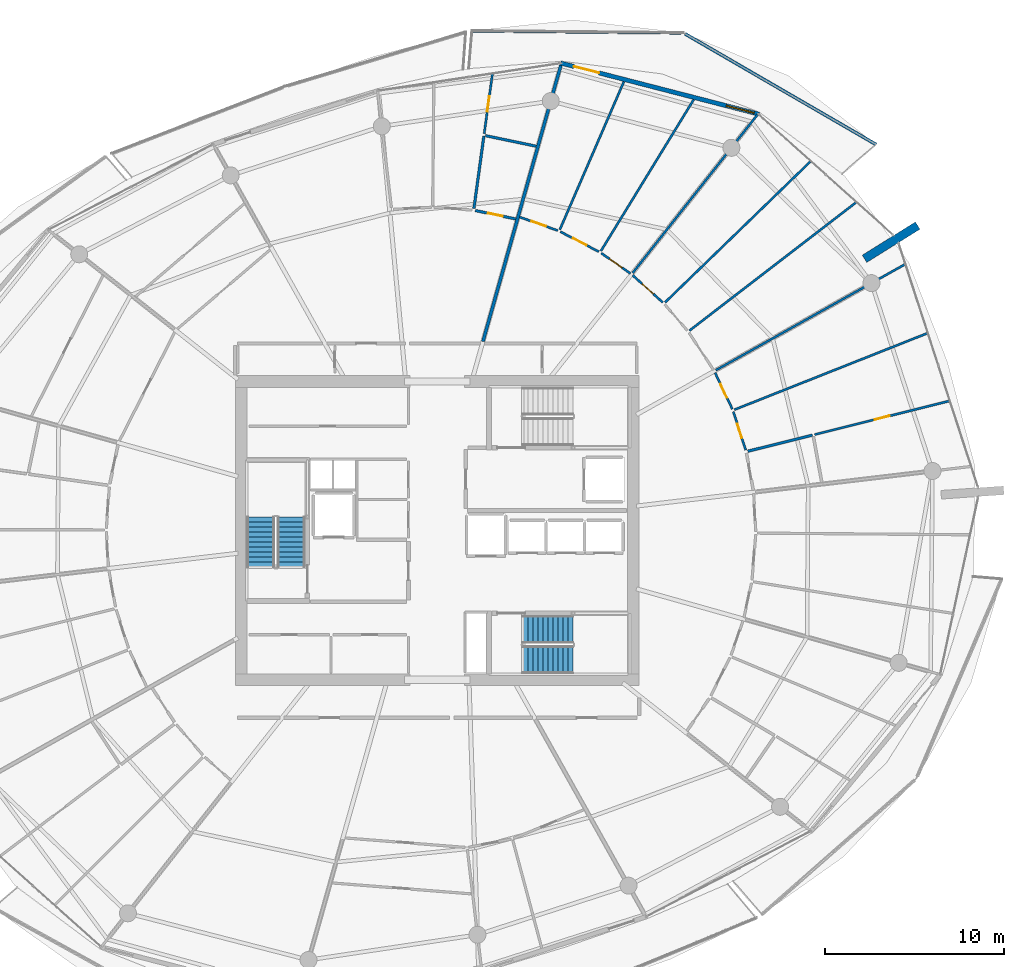
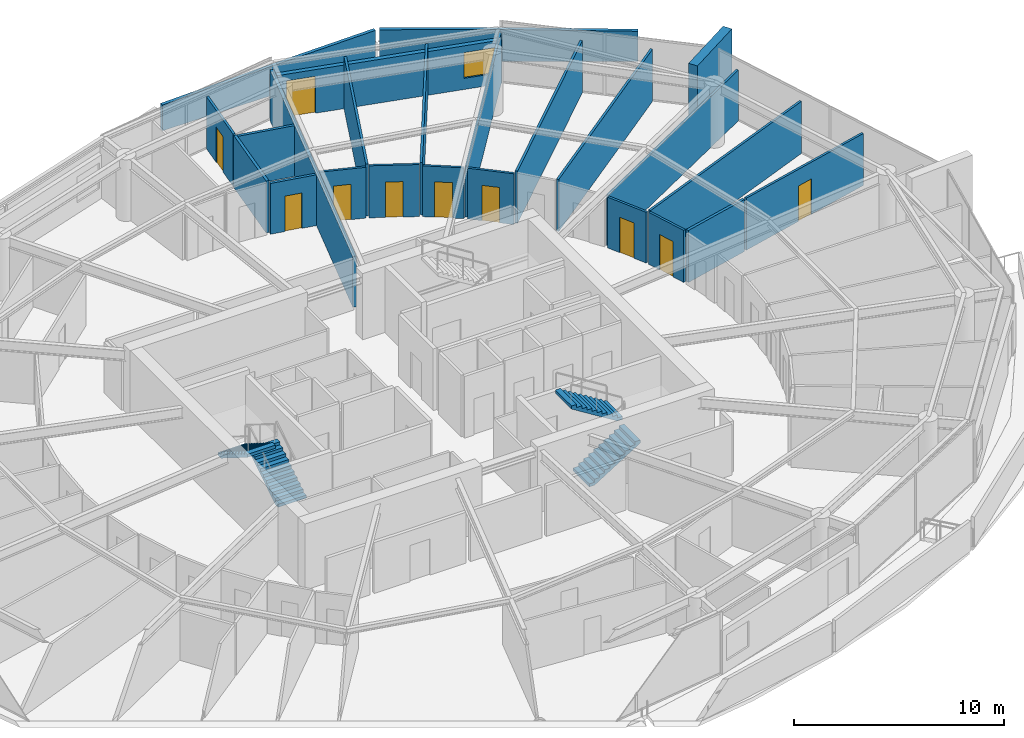
# One storey, part 23 of 31: 24 walls, 10 doors, 4 stair flights, 1 window, 11 openings, 2 elements without a shape of their own.
"""IFC4 building model written with IfcOpenShell, lengths in metres."""

from ifc_helpers import new_model, si_unit, direction, frame, frame_2d, origin, place, context, subcontext, project, spatial, polyline, rectangle, outline, extrude, material, layer, layer_set, type_object, element, fill, aggregate, save


model = new_model("IFC4")

# Units and contexts
model_context = context("Model", 3, precision=1e-05, world=origin(), true_north=direction((0.0, 1.0)))
body_context = subcontext(model_context, "Body", "Model", "MODEL_VIEW")
ifc_project = project(units=[si_unit("LENGTHUNIT", "METRE"), si_unit("AREAUNIT", "SQUARE_METRE"), si_unit("VOLUMEUNIT", "CUBIC_METRE"), si_unit("PLANEANGLEUNIT", "RADIAN"), si_unit("MASSUNIT", "GRAM", prefix="KILO")], contexts=[model_context])

# Site, building, storey
site_placement = place(None, origin())
site = spatial("IfcSite", under=ifc_project, at=site_placement, CompositionType="ELEMENT")
building_placement = place(site_placement, origin())
building = spatial("IfcBuilding", under=site, at=building_placement, Name="Kazma Halo Residences", CompositionType="ELEMENT")
storey_placement = place(building_placement, frame((0.0, 0.0, 259.800048828125)))
storey = spatial("IfcBuildingStorey", under=building, at=storey_placement, Name="L65", CompositionType="ELEMENT", Elevation=259.800048828125)

# Walls
ifc_material_1 = material(Name="White Concrete C50/60 Balustrade", Category="concrete")
ifc_layer_1 = layer(ifc_material_1, 0.179931640625)
ifc_layer_set_1 = layer_set([ifc_layer_1], Name="White Concrete C50/60 Balustrade")
wall_type_1 = type_object("IfcWallType", Name="WL-BAL-WAVE-180", PredefinedType="PARAPET", material=ifc_layer_set_1)
wall_1_placement = place(storey_placement, frame((72.927490234375, 63.554931640625, 0.0), z_axis=(0.0, 0.0, 1.0), x_axis=(-0.865262565506, 0.501318953097, 0.0)))
element("IfcWall", 1, at=wall_1_placement, inside=storey, type_object=wall_type_1, Name="L65 white wave balustrade wall NE.1", PredefinedType="PARAPET", context=body_context, shape_type="SweptSolid", body=[
    extrude(outline(polyline([(0.0, 0.0), (12.322998046875, 0.0), (12.322998046875, 1.83203125), (6.16162109375, 1.85302734375), (0.0, 1.755859375), (0.0, 0.0)])), frame((0.0, 0.08984375, 0.0), z_axis=(0.0, -1.0, 0.0), x_axis=(1.0, 0.0, 0.0)), (0.0, 0.0, 1.0), 0.179931640625),
])
wall_2_placement = place(storey_placement, frame((62.041259765625, 69.794189453125, 0.0), z_axis=(0.0, 0.0, 1.0), x_axis=(-0.999953725113, 0.009620168017, 0.0)))
element("IfcWall", 2, at=wall_2_placement, inside=storey, type_object=wall_type_1, Name="L65 white wave balustrade wall NE.2", PredefinedType="PARAPET", context=body_context, shape_type="SweptSolid", body=[
    extrude(outline(polyline([(0.0, 0.0), (11.673828125, 0.0), (11.673828125, 1.4970703125), (5.8369140625, 1.696044921875), (0.0, 1.83203125), (0.0, 0.0)])), frame((0.0, 0.08984375, 0.0), z_axis=(0.0, -1.0, 0.0), x_axis=(1.0, 0.0, 0.0)), (0.0, 0.0, 1.0), 0.179931640625),
])
ifc_material_2 = material(Name="Pale Concrete C60/75", Category="concrete")
ifc_layer_2 = layer(ifc_material_2, 0.47998046875)
ifc_layer_set_2 = layer_set([ifc_layer_2], Name="Pale Concrete C60/75")
wall_type_2 = type_object("IfcWallType", Name="WL-BLADE-480", PredefinedType="SOLIDWALL", material=ifc_layer_set_2)
wall_3_placement = place(storey_placement, frame((72.281494140625, 57.172607421875, 0.0), z_axis=(0.0, 0.0, 1.0), x_axis=(0.848033572426, 0.529942506352, 0.0)))
element("IfcWall", 3, at=wall_3_placement, inside=storey, type_object=wall_type_2, Name="L65 pale concrete structural blade fin wall BW-01", PredefinedType="SOLIDWALL", context=body_context, shape_type="SweptSolid", body=[
    extrude(rectangle(XDim=3.5, YDim=0.47998046875, at=frame_2d((1.75, 0.0))), origin(), (0.0, 0.0, 1.0), 3.849853515625),
])
ifc_material_3 = material(Name="Acoustic Twin-Stud Gypsum")
ifc_layer_3 = layer(ifc_material_3, 0.179931640625)
ifc_layer_set_3 = layer_set([ifc_layer_3], Name="Acoustic Twin-Stud Gypsum")
wall_type_3 = type_object("IfcWallType", Name="WL-DEM-180", PredefinedType="PARTITIONING", material=ifc_layer_set_3)
wall_4_placement = place(storey_placement, frame((50.97705078125, 52.555908203125, 0.0), z_axis=(0.0, 0.0, 1.0), x_axis=(0.271442063103, 0.962454781472, 0.0)))
element("IfcWall", 4, at=wall_4_placement, inside=storey, type_object=wall_type_3, Name="L65 apartment demising radial wall 02", PredefinedType="PARTITIONING", context=body_context, shape_type="SweptSolid", body=[
    extrude(rectangle(XDim=16.016845703125, YDim=0.179931640625, at=frame_2d((8.00830078125, 0.0))), origin(), (0.0, 0.0, 1.0), 2.95703125),
])

# Wall, openings, door, window
ifc_material_4 = material(Name="Insulated Pale-Metal Composite Wall")
ifc_layer_4 = layer(ifc_material_4, 0.239990234375)
ifc_layer_set_4 = layer_set([ifc_layer_4], Name="Insulated Pale-Metal Composite Wall")
wall_type_4 = type_object("IfcWallType", Name="WL-EXT-HOST-240", PredefinedType="SOLIDWALL", material=ifc_layer_set_4)
wall_5_placement = place(storey_placement, frame((66.386474609375, 65.2490234375, 0.0), z_axis=(0.0, 0.0, 1.0), x_axis=(-0.968343758421, 0.249620442927, 0.0)))
wall_5 = element("IfcWall", 5, at=wall_5_placement, inside=storey, type_object=wall_type_4, Name="L65 exterior terrace-access wall B02", PredefinedType="SOLIDWALL", context=body_context, shape_type="SweptSolid", body=[
    extrude(rectangle(XDim=11.438232421875, YDim=0.239990234375, at=frame_2d((5.71923828125, 0.0))), origin(), (0.0, 0.0, 1.0), 2.5400390625),
])
opening_1_placement = place(wall_5_placement, frame((9.21826171875, 0.0, 0.0)))
opening_1 = element("IfcOpeningElement", 6, at=opening_1_placement, cuts=wall_5, Name="Opening DTR-1600", PredefinedType="OPENING", context=body_context, shape_type="SweptSolid", body=[
    extrude(rectangle(XDim=1.449951171875, YDim=2.14990234375, at=frame_2d((0.72509765625, 1.074951171875))), frame((0.0, 0.1298828125, 0.0), z_axis=(0.0, -1.0, 0.0), x_axis=(1.0, 0.0, 0.0)), (0.0, 0.0, 1.0), 0.260009765625),
])
opening_2_placement = place(wall_5_placement, frame((0.280029296875, 0.0, 0.64990234375)))
opening_2 = element("IfcOpeningElement", 7, at=opening_2_placement, cuts=wall_5, Name="Opening W-1800", PredefinedType="OPENING", context=body_context, shape_type="SweptSolid", body=[
    extrude(rectangle(XDim=1.60009765625, YDim=1.5, at=frame_2d((0.800048828125, 0.75))), frame((0.0, 0.1298828125, 0.0), z_axis=(0.0, -1.0, 0.0), x_axis=(1.0, 0.0, 0.0)), (0.0, 0.0, 1.0), 0.260009765625),
])
ifc_material_5 = material(Name="Aluminium AW-6063 T6 Double-Glazed Terrace Door", Category="aluminium")
door_type_1 = type_object("IfcDoorType", Name="DR-EXT-TERR-1600", OperationType="NOTDEFINED", PredefinedType="DOOR", material=ifc_material_5)
door_1_placement = place(opening_1_placement, origin())
door_1 = element("IfcDoor", 8, at=door_1_placement, inside=storey, type_object=door_type_1, Name="L65 B02 balcony terrace door", OperationType="DOUBLE_DOOR_SLIDING", OverallHeight=2.14990234375, OverallWidth=1.449951171875, PredefinedType="DOOR", context=body_context, shape_type="SweptSolid", body=[
    extrude(rectangle(XDim=1.449951171875, YDim=2.14990234375, at=frame_2d((0.72509765625, 1.074951171875))), frame((0.0, 0.02490234375, 0.0), z_axis=(0.0, -1.0, 0.0), x_axis=(1.0, 0.0, 0.0)), (0.0, 0.0, 1.0), 0.050048828125),
])
fill(opening_1, door_1)
ifc_material_6 = material(Name="Clear Triple-Silver Low-E Glass in Aluminium AW-6063 T6 Frame", Category="aluminium")
window_type = type_object("IfcWindowType", Name="WIN-RES-1800", PartitioningType="DOUBLE_PANEL_VERTICAL", PredefinedType="WINDOW", material=ifc_material_6)
window_placement = place(opening_2_placement, origin())
window = element("IfcWindow", 9, at=window_placement, inside=storey, type_object=window_type, Name="L65 B02 apartment window", OverallHeight=1.5, OverallWidth=1.60009765625, PartitioningType="SINGLE_PANEL", PredefinedType="WINDOW", context=body_context, shape_type="SweptSolid", body=[
    extrude(rectangle(XDim=1.60009765625, YDim=1.5, at=frame_2d((0.800048828125, 0.75))), frame((0.0, 0.030029296875, 0.0), z_axis=(0.0, -1.0, 0.0), x_axis=(1.0, 0.0, 0.0)), (0.0, 0.0, 1.0), 0.06005859375),
])
fill(opening_2, window)

# Wall, opening, door
ifc_material_7 = material(Name="Gypsum Plasterboard Partition")
ifc_layer_5 = layer(ifc_material_7, 0.125)
ifc_layer_set_5 = layer_set([ifc_layer_5], Name="Gypsum Plasterboard Partition")
wall_type_5 = type_object("IfcWallType", Name="WL-PART-125", PredefinedType="PARTITIONING", material=ifc_layer_set_5)
wall_6_placement = place(storey_placement, frame((51.046875, 64.155517578125, 0.0), z_axis=(0.0, 0.0, 1.0), x_axis=(0.13615601298, 0.990687407879, 0.0)))
wall_6 = element("IfcWall", 10, at=wall_6_placement, inside=storey, type_object=wall_type_5, Name="L65 Apartment 1 Utility Laundry Room partition wall", PredefinedType="PARTITIONING", context=body_context, shape_type="SweptSolid", body=[
    extrude(rectangle(XDim=3.36376953125, YDim=0.125, at=frame_2d((1.681884765625, 0.0))), origin(), (0.0, 0.0, 1.0), 3.030029296875),
])
opening_3_placement = place(wall_6_placement, frame((1.2568359375, 0.0, 0.0)))
opening_3 = element("IfcOpeningElement", 11, at=opening_3_placement, cuts=wall_6, Name="Opening DB-900", PredefinedType="OPENING", context=body_context, shape_type="SweptSolid", body=[
    extrude(rectangle(XDim=0.85009765625, YDim=2.06005859375, at=frame_2d((0.425048828125, 1.030029296875))), frame((0.0, 0.072509765625, 0.0), z_axis=(0.0, -1.0, 0.0), x_axis=(1.0, 0.0, 0.0)), (0.0, 0.0, 1.0), 0.14501953125),
])
ifc_material_8 = material(Name="Moisture-Sealed Timber Leaf", Category="wood")
door_type_2 = type_object("IfcDoorType", Name="DR-BTH-900", OperationType="NOTDEFINED", PredefinedType="DOOR", material=ifc_material_8)
door_2_placement = place(opening_3_placement, origin())
door_2 = element("IfcDoor", 12, at=door_2_placement, inside=storey, type_object=door_type_2, Name="L65 Apartment 1 Utility Laundry Room door", OperationType="SINGLE_SWING_LEFT", OverallHeight=2.06005859375, OverallWidth=0.85009765625, PredefinedType="DOOR", context=body_context, shape_type="SweptSolid", body=[
    extrude(rectangle(XDim=0.85009765625, YDim=2.06005859375, at=frame_2d((0.425048828125, 1.030029296875))), frame((0.0, 0.02490234375, 0.0), z_axis=(0.0, -1.0, 0.0), x_axis=(1.0, 0.0, 0.0)), (0.0, 0.0, 1.0), 0.050048828125),
])
fill(opening_3, door_2)

wall_7_placement = place(storey_placement, frame((69.499267578125, 47.3583984375, 0.0), z_axis=(0.0, 0.0, 1.0), x_axis=(0.970319890445, 0.241824957783, 0.0)))
wall_7 = element("IfcWall", 13, at=wall_7_placement, inside=storey, type_object=wall_type_5, Name="L65 Apartment 3 Inner Walk-In Wardrobe partition wall", PredefinedType="PARTITIONING", context=body_context, shape_type="SweptSolid", body=[
    extrude(rectangle(XDim=7.760498046875, YDim=0.125, at=frame_2d((3.88037109375, 0.0))), origin(), (0.0, 0.0, 1.0), 3.030029296875),
])
opening_4_placement = place(wall_7_placement, frame((3.455322265625, 0.0, 0.0)))
opening_4 = element("IfcOpeningElement", 14, at=opening_4_placement, cuts=wall_7, Name="Opening DB-900", PredefinedType="OPENING", context=body_context, shape_type="SweptSolid", body=[
    extrude(rectangle(XDim=0.85009765625, YDim=2.06005859375, at=frame_2d((0.425048828125, 1.030029296875))), frame((0.0, 0.072509765625, 0.0), z_axis=(0.0, -1.0, 0.0), x_axis=(1.0, 0.0, 0.0)), (0.0, 0.0, 1.0), 0.14501953125),
])
door_3_placement = place(opening_4_placement, origin())
door_3 = element("IfcDoor", 15, at=door_3_placement, inside=storey, type_object=door_type_2, Name="L65 Apartment 3 Inner Walk-In Wardrobe door", OperationType="SINGLE_SWING_RIGHT", OverallHeight=2.06005859375, OverallWidth=0.85009765625, PredefinedType="DOOR", context=body_context, shape_type="SweptSolid", body=[
    extrude(rectangle(XDim=0.85009765625, YDim=2.06005859375, at=frame_2d((0.425048828125, 1.030029296875))), frame((0.0, 0.02490234375, 0.0), z_axis=(0.0, -1.0, 0.0), x_axis=(1.0, 0.0, 0.0)), (0.0, 0.0, 1.0), 0.050048828125),
])
fill(opening_4, door_3)

# Wall
wall_8_placement = place(storey_placement, frame((65.018798828125, 48.74609375, 0.0), z_axis=(0.0, 0.0, 1.0), x_axis=(0.929633611817, 0.368485207003, 0.0)))
element("IfcWall", 16, at=wall_8_placement, inside=storey, type_object=wall_type_5, Name="L65 Apartment 3 suite divider 15", PredefinedType="PARTITIONING", context=body_context, shape_type="SweptSolid", body=[
    extrude(rectangle(XDim=11.597412109375, YDim=0.125, at=frame_2d((5.798828125, 0.0))), origin(), (0.0, 0.0, 1.0), 3.030029296875),
])

# Wall, opening, door
wall_9_placement = place(storey_placement, frame((65.648681640625, 46.4912109375, 0.0), z_axis=(0.0, 0.0, 1.0), x_axis=(-0.30574263326, 0.952114195991, 0.0)))
wall_9 = element("IfcWall", 17, at=wall_9_placement, inside=storey, type_object=wall_type_5, Name="L65 Apartment 3 Outer Formal Dining Room hall wall", PredefinedType="PARTITIONING", context=body_context, shape_type="SweptSolid", body=[
    extrude(rectangle(XDim=2.25341796875, YDim=0.125, at=frame_2d((1.126708984375, 0.0))), origin(), (0.0, 0.0, 1.0), 3.030029296875),
])
opening_5_placement = place(wall_9_placement, frame((0.70166015625, 0.0, 0.0)))
opening_5 = element("IfcOpeningElement", 18, at=opening_5_placement, cuts=wall_9, Name="Opening DB-900", PredefinedType="OPENING", context=body_context, shape_type="SweptSolid", body=[
    extrude(rectangle(XDim=0.85009765625, YDim=2.06005859375, at=frame_2d((0.425048828125, 1.030029296875))), frame((0.0, 0.072509765625, 0.0), z_axis=(0.0, -1.0, 0.0), x_axis=(1.0, 0.0, 0.0)), (0.0, 0.0, 1.0), 0.14501953125),
])
door_4_placement = place(opening_5_placement, origin())
door_4 = element("IfcDoor", 19, at=door_4_placement, inside=storey, type_object=door_type_2, Name="L65 Apartment 3 Outer Formal Dining Room door", OperationType="SINGLE_SWING_LEFT", OverallHeight=2.06005859375, OverallWidth=0.85009765625, PredefinedType="DOOR", context=body_context, shape_type="SweptSolid", body=[
    extrude(rectangle(XDim=0.85009765625, YDim=2.06005859375, at=frame_2d((0.425048828125, 1.030029296875))), frame((0.0, 0.02490234375, 0.0), z_axis=(0.0, -1.0, 0.0), x_axis=(1.0, 0.0, 0.0)), (0.0, 0.0, 1.0), 0.050048828125),
])
fill(opening_5, door_4)

wall_10_placement = place(storey_placement, frame((64.900634765625, 48.784912109375, 0.0), z_axis=(0.0, 0.0, 1.0), x_axis=(-0.429451921588, 0.903089722588, 0.0)))
wall_10 = element("IfcWall", 20, at=wall_10_placement, inside=storey, type_object=wall_type_5, Name="L65 Apartment 3 Corner Master Bedroom hall wall", PredefinedType="PARTITIONING", context=body_context, shape_type="SweptSolid", body=[
    extrude(rectangle(XDim=2.2431640625, YDim=0.125, at=frame_2d((1.12158203125, 0.0))), origin(), (0.0, 0.0, 1.0), 2.95703125),
])
opening_6_placement = place(wall_10_placement, frame((0.69677734375, 0.0, 0.0)))
opening_6 = element("IfcOpeningElement", 21, at=opening_6_placement, cuts=wall_10, Name="Opening DB-900", PredefinedType="OPENING", context=body_context, shape_type="SweptSolid", body=[
    extrude(rectangle(XDim=0.85009765625, YDim=2.06005859375, at=frame_2d((0.425048828125, 1.030029296875))), frame((0.0, 0.072509765625, 0.0), z_axis=(0.0, -1.0, 0.0), x_axis=(1.0, 0.0, 0.0)), (0.0, 0.0, 1.0), 0.14501953125),
])
door_5_placement = place(opening_6_placement, origin())
door_5 = element("IfcDoor", 22, at=door_5_placement, inside=storey, type_object=door_type_2, Name="L65 Apartment 3 Corner Master Bedroom door", OperationType="SINGLE_SWING_RIGHT", OverallHeight=2.06005859375, OverallWidth=0.85009765625, PredefinedType="DOOR", context=body_context, shape_type="SweptSolid", body=[
    extrude(rectangle(XDim=0.85009765625, YDim=2.06005859375, at=frame_2d((0.425048828125, 1.030029296875))), frame((0.0, 0.02490234375, 0.0), z_axis=(0.0, -1.0, 0.0), x_axis=(1.0, 0.0, 0.0)), (0.0, 0.0, 1.0), 0.050048828125),
])
fill(opening_6, door_5)

# Walls
wall_11_placement = place(storey_placement, frame((63.9814453125, 50.9501953125, 0.0), z_axis=(0.0, 0.0, 1.0), x_axis=(0.872499829235, 0.488614416473, 0.0)))
element("IfcWall", 23, at=wall_11_placement, inside=storey, type_object=wall_type_5, Name="L65 Apartment 3 radial partition 0", PredefinedType="PARTITIONING", context=body_context, shape_type="SweptSolid", body=[
    extrude(rectangle(XDim=12.11279296875, YDim=0.125, at=frame_2d((6.056396484375, 0.0))), origin(), (0.0, 0.0, 1.0), 2.95703125),
])
wall_12_placement = place(storey_placement, frame((62.50927734375, 53.16357421875, 0.0), z_axis=(0.0, 0.0, 1.0), x_axis=(0.792562111758, 0.609791192955, 0.0)))
element("IfcWall", 24, at=wall_12_placement, inside=storey, type_object=wall_type_5, Name="L65 Apartment 3 bay wall 1 0", PredefinedType="PARTITIONING", context=body_context, shape_type="SweptSolid", body=[
    extrude(rectangle(XDim=11.73486328125, YDim=0.125, at=frame_2d((5.867431640625, 0.0))), origin(), (0.0, 0.0, 1.0), 3.030029296875),
])
wall_13_placement = place(storey_placement, frame((61.146728515625, 54.739990234375, 0.0), z_axis=(0.0, 0.0, 1.0), x_axis=(0.718123814737, 0.695915358868, 0.0)))
element("IfcWall", 25, at=wall_13_placement, inside=storey, type_object=wall_type_5, Name="L65 Apartment 3 bay wall 2 0", PredefinedType="PARTITIONING", context=body_context, shape_type="SweptSolid", body=[
    extrude(rectangle(XDim=11.301025390625, YDim=0.125, at=frame_2d((5.650390625, 0.0))), origin(), (0.0, 0.0, 1.0), 3.030029296875),
])

# Wall, opening, door
wall_14_placement = place(storey_placement, frame((61.022705078125, 54.73095703125, 0.0), z_axis=(0.0, 0.0, 1.0), x_axis=(-0.742261355739, 0.670110498184, 0.0)))
wall_14 = element("IfcWall", 26, at=wall_14_placement, inside=storey, type_object=wall_type_5, Name="L65 Apartment 3 Secondary Bedroom hall wall", PredefinedType="PARTITIONING", context=body_context, shape_type="SweptSolid", body=[
    extrude(rectangle(XDim=2.2705078125, YDim=0.125, at=frame_2d((1.13525390625, 0.0))), origin(), (0.0, 0.0, 1.0), 2.95703125),
])
opening_7_placement = place(wall_14_placement, frame((0.710205078125, 0.0, 0.0)))
opening_7 = element("IfcOpeningElement", 27, at=opening_7_placement, cuts=wall_14, Name="Opening DB-900", PredefinedType="OPENING", context=body_context, shape_type="SweptSolid", body=[
    extrude(rectangle(XDim=0.85009765625, YDim=2.06005859375, at=frame_2d((0.425048828125, 1.030029296875))), frame((0.0, 0.072509765625, 0.0), z_axis=(0.0, -1.0, 0.0), x_axis=(1.0, 0.0, 0.0)), (0.0, 0.0, 1.0), 0.14501953125),
])
door_6_placement = place(opening_7_placement, origin())
door_6 = element("IfcDoor", 28, at=door_6_placement, inside=storey, type_object=door_type_2, Name="L65 Apartment 3 Secondary Bedroom door", OperationType="SINGLE_SWING_LEFT", OverallHeight=2.06005859375, OverallWidth=0.85009765625, PredefinedType="DOOR", context=body_context, shape_type="SweptSolid", body=[
    extrude(rectangle(XDim=0.85009765625, YDim=2.06005859375, at=frame_2d((0.425048828125, 1.030029296875))), frame((0.0, 0.02490234375, 0.0), z_axis=(0.0, -1.0, 0.0), x_axis=(1.0, 0.0, 0.0)), (0.0, 0.0, 1.0), 0.050048828125),
])
fill(opening_7, door_6)

# Walls
wall_15_placement = place(storey_placement, frame((59.33984375, 56.384521484375, 0.0), z_axis=(0.0, 0.0, 1.0), x_axis=(0.619096007185, 0.785315308579, 0.0)))
element("IfcWall", 29, at=wall_15_placement, inside=storey, type_object=wall_type_5, Name="L65 Apartment 3 radial partition 1", PredefinedType="PARTITIONING", context=body_context, shape_type="SweptSolid", body=[
    extrude(rectangle(XDim=11.27880859375, YDim=0.125, at=frame_2d((5.639404296875, 0.0))), origin(), (0.0, 0.0, 1.0), 2.95703125),
])
wall_16_placement = place(storey_placement, frame((57.5654296875, 57.609130859375, 0.0), z_axis=(0.0, 0.0, 1.0), x_axis=(0.522482381921, 0.852650080972, 0.0)))
element("IfcWall", 30, at=wall_16_placement, inside=storey, type_object=wall_type_5, Name="L65 Apartment 3 bay wall 1 1", PredefinedType="PARTITIONING", context=body_context, shape_type="SweptSolid", body=[
    extrude(rectangle(XDim=9.916015625, YDim=0.125, at=frame_2d((4.9580078125, 0.0))), origin(), (0.0, 0.0, 1.0), 3.030029296875),
])
wall_17_placement = place(storey_placement, frame((55.2705078125, 58.80126953125, 0.0), z_axis=(0.0, 0.0, 1.0), x_axis=(0.397153136179, 0.917752355716, 0.0)))
element("IfcWall", 31, at=wall_17_placement, inside=storey, type_object=wall_type_5, Name="L65 Apartment 3 bay wall 2 1", PredefinedType="PARTITIONING", context=body_context, shape_type="SweptSolid", body=[
    extrude(rectangle(XDim=9.00439453125, YDim=0.125, at=frame_2d((4.502197265625, 0.0))), origin(), (0.0, 0.0, 1.0), 3.030029296875),
])

# Wall, opening, door
wall_18_placement = place(storey_placement, frame((59.21240234375, 56.351806640625, 0.0), z_axis=(0.0, 0.0, 1.0), x_axis=(-0.820385927757, 0.571810221611, 0.0)))
wall_18 = element("IfcWall", 32, at=wall_18_placement, inside=storey, type_object=wall_type_5, Name="L65 Apartment 3 North Bedroom hall wall", PredefinedType="PARTITIONING", context=body_context, shape_type="SweptSolid", body=[
    extrude(rectangle(XDim=1.98486328125, YDim=0.125, at=frame_2d((0.992431640625, 0.0))), origin(), (0.0, 0.0, 1.0), 2.95703125),
])
opening_8_placement = place(wall_18_placement, frame((0.5673828125, 0.0, 0.0)))
opening_8 = element("IfcOpeningElement", 33, at=opening_8_placement, cuts=wall_18, Name="Opening DB-900", PredefinedType="OPENING", context=body_context, shape_type="SweptSolid", body=[
    extrude(rectangle(XDim=0.85009765625, YDim=2.06005859375, at=frame_2d((0.425048828125, 1.030029296875))), frame((0.0, 0.072509765625, 0.0), z_axis=(0.0, -1.0, 0.0), x_axis=(1.0, 0.0, 0.0)), (0.0, 0.0, 1.0), 0.14501953125),
])
door_7_placement = place(opening_8_placement, origin())
door_7 = element("IfcDoor", 34, at=door_7_placement, inside=storey, type_object=door_type_2, Name="L65 Apartment 3 North Bedroom door", OperationType="SINGLE_SWING_RIGHT", OverallHeight=2.06005859375, OverallWidth=0.85009765625, PredefinedType="DOOR", context=body_context, shape_type="SweptSolid", body=[
    extrude(rectangle(XDim=0.85009765625, YDim=2.06005859375, at=frame_2d((0.425048828125, 1.030029296875))), frame((0.0, 0.02490234375, 0.0), z_axis=(0.0, -1.0, 0.0), x_axis=(1.0, 0.0, 0.0)), (0.0, 0.0, 1.0), 0.050048828125),
])
fill(opening_8, door_7)

wall_19_placement = place(storey_placement, frame((57.447509765625, 57.5693359375, 0.0), z_axis=(0.0, 0.0, 1.0), x_axis=(-0.887400582176, 0.460999139646, 0.0)))
wall_19 = element("IfcWall", 35, at=wall_19_placement, inside=storey, type_object=wall_type_5, Name="L65 Apartment 3 South Study hall wall", PredefinedType="PARTITIONING", context=body_context, shape_type="SweptSolid", body=[
    extrude(rectangle(XDim=2.413330078125, YDim=0.125, at=frame_2d((1.20654296875, 0.0))), origin(), (0.0, 0.0, 1.0), 3.030029296875),
])
opening_9_placement = place(wall_19_placement, frame((0.781494140625, 0.0, 0.0)))
opening_9 = element("IfcOpeningElement", 36, at=opening_9_placement, cuts=wall_19, Name="Opening DB-900", PredefinedType="OPENING", context=body_context, shape_type="SweptSolid", body=[
    extrude(rectangle(XDim=0.85009765625, YDim=2.06005859375, at=frame_2d((0.425048828125, 1.030029296875))), frame((0.0, 0.072509765625, 0.0), z_axis=(0.0, -1.0, 0.0), x_axis=(1.0, 0.0, 0.0)), (0.0, 0.0, 1.0), 0.14501953125),
])
door_8_placement = place(opening_9_placement, origin())
door_8 = element("IfcDoor", 37, at=door_8_placement, inside=storey, type_object=door_type_2, Name="L65 Apartment 3 South Study door", OperationType="SINGLE_SWING_LEFT", OverallHeight=2.06005859375, OverallWidth=0.85009765625, PredefinedType="DOOR", context=body_context, shape_type="SweptSolid", body=[
    extrude(rectangle(XDim=0.85009765625, YDim=2.06005859375, at=frame_2d((0.425048828125, 1.030029296875))), frame((0.0, 0.02490234375, 0.0), z_axis=(0.0, -1.0, 0.0), x_axis=(1.0, 0.0, 0.0)), (0.0, 0.0, 1.0), 0.050048828125),
])
fill(opening_9, door_8)

wall_20_placement = place(storey_placement, frame((55.159423828125, 58.74560546875, 0.0), z_axis=(0.0, 0.0, 1.0), x_axis=(-0.942227512781, 0.334973602181, 0.0)))
wall_20 = element("IfcWall", 38, at=wall_20_placement, inside=storey, type_object=wall_type_5, Name="L65 Apartment 3 Inner Bedroom hall wall", PredefinedType="PARTITIONING", context=body_context, shape_type="SweptSolid", body=[
    extrude(rectangle(XDim=2.270263671875, YDim=0.125, at=frame_2d((1.13525390625, 0.0))), origin(), (0.0, 0.0, 1.0), 2.95703125),
])
opening_10_placement = place(wall_20_placement, frame((0.710205078125, 0.0, 0.0)))
opening_10 = element("IfcOpeningElement", 39, at=opening_10_placement, cuts=wall_20, Name="Opening DB-900", PredefinedType="OPENING", context=body_context, shape_type="SweptSolid", body=[
    extrude(rectangle(XDim=0.85009765625, YDim=2.06005859375, at=frame_2d((0.425048828125, 1.030029296875))), frame((0.0, 0.072509765625, 0.0), z_axis=(0.0, -1.0, 0.0), x_axis=(1.0, 0.0, 0.0)), (0.0, 0.0, 1.0), 0.14501953125),
])
door_9_placement = place(opening_10_placement, origin())
door_9 = element("IfcDoor", 40, at=door_9_placement, inside=storey, type_object=door_type_2, Name="L65 Apartment 3 Inner Bedroom door", OperationType="SINGLE_SWING_RIGHT", OverallHeight=2.06005859375, OverallWidth=0.85009765625, PredefinedType="DOOR", context=body_context, shape_type="SweptSolid", body=[
    extrude(rectangle(XDim=0.85009765625, YDim=2.06005859375, at=frame_2d((0.425048828125, 1.030029296875))), frame((0.0, 0.02490234375, 0.0), z_axis=(0.0, -1.0, 0.0), x_axis=(1.0, 0.0, 0.0)), (0.0, 0.0, 1.0), 0.050048828125),
])
fill(opening_10, door_9)

ifc_material_9 = material(Name="Moisture-Resistant Gypsum")
ifc_layer_6 = layer(ifc_material_9, 0.14990234375)
ifc_layer_set_6 = layer_set([ifc_layer_6], Name="Moisture-Resistant Gypsum")
wall_type_6 = type_object("IfcWallType", Name="WL-WET-150", PredefinedType="PARTITIONING", material=ifc_layer_set_6)
wall_21_placement = place(storey_placement, frame((52.802734375, 59.396484375, 0.0), z_axis=(0.0, 0.0, 1.0), x_axis=(-0.978903645483, 0.204322423784, 0.0)))
wall_21 = element("IfcWall", 41, at=wall_21_placement, inside=storey, type_object=wall_type_6, Name="L65 Apartment 1 Guest Bathroom hall wall", PredefinedType="PARTITIONING", context=body_context, shape_type="SweptSolid", body=[
    extrude(rectangle(XDim=2.3037109375, YDim=0.14990234375, at=frame_2d((1.15185546875, 0.0))), origin(), (0.0, 0.0, 1.0), 2.95703125),
])
opening_11_placement = place(wall_21_placement, frame((0.726806640625, 0.0, 0.0)))
opening_11 = element("IfcOpeningElement", 42, at=opening_11_placement, cuts=wall_21, Name="Opening DB-900", PredefinedType="OPENING", context=body_context, shape_type="SweptSolid", body=[
    extrude(rectangle(XDim=0.85009765625, YDim=2.06005859375, at=frame_2d((0.425048828125, 1.030029296875))), frame((0.0, 0.0849609375, 0.0), z_axis=(0.0, -1.0, 0.0), x_axis=(1.0, 0.0, 0.0)), (0.0, 0.0, 1.0), 0.169921875),
])
door_10_placement = place(opening_11_placement, origin())
door_10 = element("IfcDoor", 43, at=door_10_placement, inside=storey, type_object=door_type_2, Name="L65 Apartment 1 Guest Bathroom door", OperationType="SINGLE_SWING_RIGHT", OverallHeight=2.06005859375, OverallWidth=0.85009765625, PredefinedType="DOOR", context=body_context, shape_type="SweptSolid", body=[
    extrude(rectangle(XDim=0.85009765625, YDim=2.06005859375, at=frame_2d((0.425048828125, 1.030029296875))), frame((0.0, 0.02490234375, 0.0), z_axis=(0.0, -1.0, 0.0), x_axis=(1.0, 0.0, 0.0)), (0.0, 0.0, 1.0), 0.050048828125),
])
fill(opening_11, door_10)

# Walls
wall_22_placement = place(storey_placement, frame((53.9482421875, 63.4580078125, 0.0), z_axis=(0.0, 0.0, 1.0), x_axis=(-0.978900129076, 0.204339270075, 0.0)))
element("IfcWall", 44, at=wall_22_placement, inside=storey, type_object=wall_type_6, Name="L65 Apartment 1 Guest Bathroom back wall", PredefinedType="PARTITIONING", context=body_context, shape_type="SweptSolid", body=[
    extrude(rectangle(XDim=2.886474609375, YDim=0.14990234375, at=frame_2d((1.443359375, 0.0))), origin(), (0.0, 0.0, 1.0), 2.95703125),
])
wall_23_placement = place(storey_placement, frame((50.471923828125, 59.974853515625, 0.0), z_axis=(0.0, 0.0, 1.0), x_axis=(0.136221269786, 0.990678437061, 0.0)))
element("IfcWall", 45, at=wall_23_placement, inside=storey, type_object=wall_type_6, Name="L65 Apartment 1 Guest Bathroom side wall", PredefinedType="PARTITIONING", context=body_context, shape_type="SweptSolid", body=[
    extrude(rectangle(XDim=4.08984375, YDim=0.14990234375, at=frame_2d((2.044921875, 0.0))), origin(), (0.0, 0.0, 1.0), 3.030029296875),
])
wall_24_placement = place(storey_placement, frame((65.763671875, 46.42724609375, 0.0), z_axis=(0.0, 0.0, 1.0), x_axis=(0.970315973529, 0.241840673822, 0.0)))
element("IfcWall", 46, at=wall_24_placement, inside=storey, type_object=wall_type_6, Name="L65 Apartment 3 South En-Suite Bathroom side wall", PredefinedType="PARTITIONING", context=body_context, shape_type="SweptSolid", body=[
    extrude(rectangle(XDim=3.719970703125, YDim=0.14990234375, at=frame_2d((1.85986328125, 0.0))), origin(), (0.0, 0.0, 1.0), 3.030029296875),
])

# Stair, stair flights
ifc_material_10 = material(Name="Concrete C50/60", Category="concrete")
stair_type = type_object("IfcStairType", Name="STR-RES2", PredefinedType="HALF_TURN_STAIR", material=ifc_material_10)
stair_1_placement = place(storey_placement, origin())
stair_1 = element("IfcStair", 47, at=stair_1_placement, inside=storey, type_object=stair_type, Name="L65 Core exit stair ST-01", PredefinedType="HALF_TURN_STAIR")
stair_flight_type = type_object("IfcStairFlightType", Name="STR-RES2-FLT", PredefinedType="STRAIGHT", material=ifc_material_10)
stair_flight_1_placement = place(storey_placement, frame((40.27490234375, 39.949951171875, 0.0), z_axis=(0.0, 0.0, 1.0), x_axis=(0.0, 1.0, 0.0)))
stair_flight_1 = element("IfcStairFlight", 48, at=stair_flight_1_placement, type_object=stair_flight_type, Name="ST-01 flight 1", NumberOfRisers=11, NumberOfTreads=10, PredefinedType="STRAIGHT", RiserHeight=0.175, TreadLength=0.28, context=body_context, shape_type="SweptSolid", body=[
    extrude(outline(polyline([(0.0, 0.0), (0.0, 0.175048828125), (0.280029296875, 0.175048828125), (0.280029296875, 0.35009765625), (0.56005859375, 0.35009765625), (0.56005859375, 0.52490234375), (0.840087890625, 0.52490234375), (0.840087890625, 0.699951171875), (1.1201171875, 0.699951171875), (1.1201171875, 0.875), (1.39990234375, 0.875), (1.39990234375, 1.050048828125), (1.679931640625, 1.050048828125), (1.679931640625, 1.22509765625), (1.9599609375, 1.22509765625), (1.9599609375, 1.39990234375), (2.239990234375, 1.39990234375), (2.239990234375, 1.574951171875), (2.52001953125, 1.574951171875), (2.52001953125, 1.75), (2.800048828125, 1.75), (2.800048828125, 1.925048828125), (2.800048828125, 1.5732421875), (0.28271484375, 0.0), (0.0, 0.0)])), frame((0.0, 0.77490234375, 0.0), z_axis=(0.0, -1.0, 0.0), x_axis=(1.0, 0.0, 0.0)), (0.0, 0.0, 1.0), 1.550048828125),
])
stair_flight_2_placement = place(storey_placement, frame((38.574951171875, 42.75, 1.925048828125), z_axis=(0.0, 0.0, 1.0), x_axis=(0.0, -1.0, 0.0)))
stair_flight_2 = element("IfcStairFlight", 49, at=stair_flight_2_placement, type_object=stair_flight_type, Name="ST-01 flight 2", NumberOfRisers=11, NumberOfTreads=10, PredefinedType="STRAIGHT", RiserHeight=0.175, TreadLength=0.28, context=body_context, shape_type="SweptSolid", body=[
    extrude(outline(polyline([(0.0, 0.0), (0.0, 0.175048828125), (0.280029296875, 0.175048828125), (0.280029296875, 0.35009765625), (0.56005859375, 0.35009765625), (0.56005859375, 0.52490234375), (0.840087890625, 0.52490234375), (0.840087890625, 0.699951171875), (1.1201171875, 0.699951171875), (1.1201171875, 0.875), (1.39990234375, 0.875), (1.39990234375, 1.050048828125), (1.679931640625, 1.050048828125), (1.679931640625, 1.22509765625), (1.9599609375, 1.22509765625), (1.9599609375, 1.39990234375), (2.239990234375, 1.39990234375), (2.239990234375, 1.574951171875), (2.52001953125, 1.574951171875), (2.52001953125, 1.75), (2.800048828125, 1.75), (2.800048828125, 1.925048828125), (2.800048828125, 1.5732421875), (0.28271484375, 0.0), (0.0, 0.0)])), frame((0.0, 0.77490234375, 0.0), z_axis=(0.0, -1.0, 0.0), x_axis=(1.0, 0.0, 0.0)), (0.0, 0.0, 1.0), 1.550048828125),
])
aggregate(stair_1, [stair_flight_1, stair_flight_2])

stair_2_placement = place(storey_placement, origin())
stair_2 = element("IfcStair", 50, at=stair_2_placement, inside=storey, type_object=stair_type, Name="L65 Core exit stair ST-03", PredefinedType="HALF_TURN_STAIR")
stair_flight_3_placement = place(storey_placement, frame((53.199951171875, 34.77490234375, 0.0), z_axis=(0.0, 0.0, 1.0), x_axis=(1.0, 0.0, 0.0)))
stair_flight_3 = element("IfcStairFlight", 51, at=stair_flight_3_placement, type_object=stair_flight_type, Name="ST-03 flight 1", NumberOfRisers=11, NumberOfTreads=10, PredefinedType="STRAIGHT", RiserHeight=0.175, TreadLength=0.28, context=body_context, shape_type="SweptSolid", body=[
    extrude(outline(polyline([(0.0, 0.0), (0.0, 0.175048828125), (0.280029296875, 0.175048828125), (0.280029296875, 0.35009765625), (0.56005859375, 0.35009765625), (0.56005859375, 0.52490234375), (0.840087890625, 0.52490234375), (0.840087890625, 0.699951171875), (1.1201171875, 0.699951171875), (1.1201171875, 0.875), (1.39990234375, 0.875), (1.39990234375, 1.050048828125), (1.679931640625, 1.050048828125), (1.679931640625, 1.22509765625), (1.9599609375, 1.22509765625), (1.9599609375, 1.39990234375), (2.239990234375, 1.39990234375), (2.239990234375, 1.574951171875), (2.52001953125, 1.574951171875), (2.52001953125, 1.75), (2.800048828125, 1.75), (2.800048828125, 1.925048828125), (2.800048828125, 1.5732421875), (0.28271484375, 0.0), (0.0, 0.0)])), frame((0.0, 0.77490234375, 0.0), z_axis=(0.0, -1.0, 0.0), x_axis=(1.0, 0.0, 0.0)), (0.0, 0.0, 1.0), 1.550048828125),
])
stair_flight_4_placement = place(storey_placement, frame((56.0, 36.47509765625, 1.925048828125), z_axis=(0.0, 0.0, 1.0), x_axis=(-1.0, 0.0, 0.0)))
stair_flight_4 = element("IfcStairFlight", 52, at=stair_flight_4_placement, type_object=stair_flight_type, Name="ST-03 flight 2", NumberOfRisers=11, NumberOfTreads=10, PredefinedType="STRAIGHT", RiserHeight=0.175, TreadLength=0.28, context=body_context, shape_type="SweptSolid", body=[
    extrude(outline(polyline([(0.0, 0.0), (0.0, 0.175048828125), (0.280029296875, 0.175048828125), (0.280029296875, 0.35009765625), (0.56005859375, 0.35009765625), (0.56005859375, 0.52490234375), (0.840087890625, 0.52490234375), (0.840087890625, 0.699951171875), (1.1201171875, 0.699951171875), (1.1201171875, 0.875), (1.39990234375, 0.875), (1.39990234375, 1.050048828125), (1.679931640625, 1.050048828125), (1.679931640625, 1.22509765625), (1.9599609375, 1.22509765625), (1.9599609375, 1.39990234375), (2.239990234375, 1.39990234375), (2.239990234375, 1.574951171875), (2.52001953125, 1.574951171875), (2.52001953125, 1.75), (2.800048828125, 1.75), (2.800048828125, 1.925048828125), (2.800048828125, 1.5732421875), (0.28271484375, 0.0), (0.0, 0.0)])), frame((0.0, 0.77490234375, 0.0), z_axis=(0.0, -1.0, 0.0), x_axis=(1.0, 0.0, 0.0)), (0.0, 0.0, 1.0), 1.550048828125),
])
aggregate(stair_2, [stair_flight_3, stair_flight_4])

save(model, "model.ifc")
